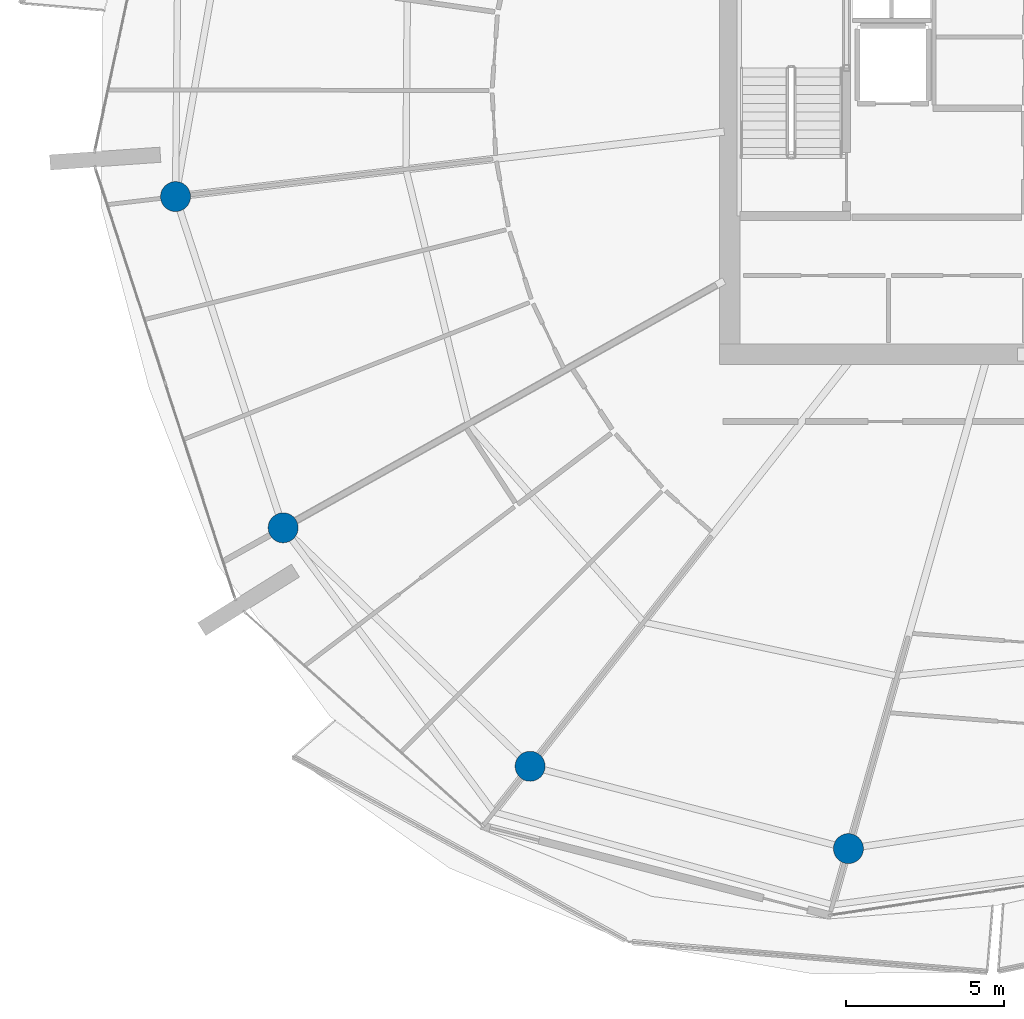
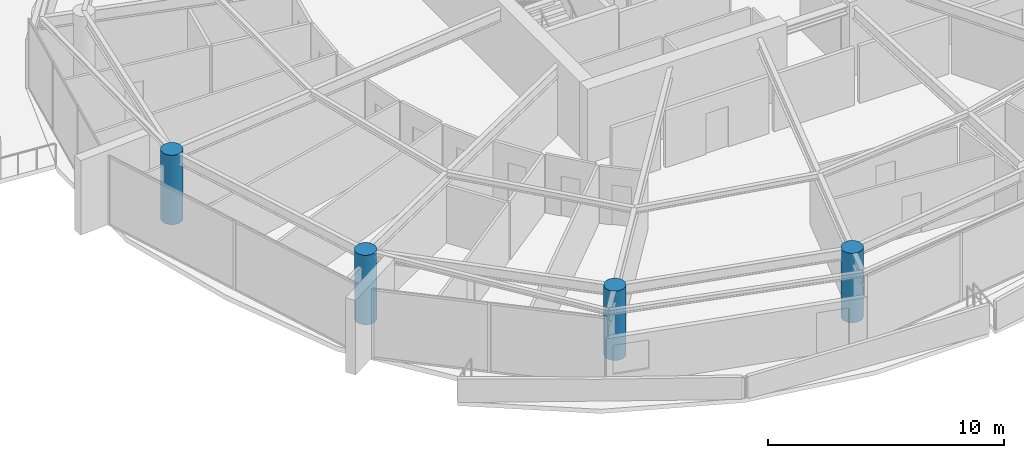
# One storey, part 1 of 31: 4 columns.
"""IFC4 building model written with IfcOpenShell, lengths in metres."""

import ifcopenshell
import ifcopenshell.guid

model = None  # the IFC model being written
_history = None  # IfcOwnerHistory: only IFC2X3 demands one
_inside = {}  # id of a spatial element -> (the spatial element, [elements in it])
_under = {}  # id of a project, library or spatial element -> (it, [spatial elements below it])
_declared = {}  # id of a project -> (the project, [libraries it declares])
_typed = {}  # id of a type object -> (the type object, [elements of that type])
_made_of = {}  # id of a material, layer set ... -> (it, [elements and type objects made of it])


def new_model(schema):
    """Start an empty IFC model of exactly this schema.

    Asked for "IFC4X3", IfcOpenShell would pick the latest addendum, in which some entities
    have other attributes; the version numbers below select the first issue.
    IFC2X3 requires an IfcOwnerHistory on every rooted entity: one is made here for all.
    """
    global model, _history
    if schema == "IFC4X3":
        model = ifcopenshell.file(schema_version=(4, 3, 0, 0))
    else:
        model = ifcopenshell.file(schema=schema)
    _inside.clear()
    _under.clear()
    _declared.clear()
    _typed.clear()
    _made_of.clear()
    _history = None
    if model.schema == "IFC2X3":
        org = make("IfcOrganization", Name="unknown")
        user = make(
            "IfcPersonAndOrganization",
            ThePerson=make("IfcPerson", FamilyName="unknown"),
            TheOrganization=org,
        )
        app = make(
            "IfcApplication",
            ApplicationDeveloper=org,
            Version="unknown",
            ApplicationFullName="unknown",
            ApplicationIdentifier="unknown",
        )
        _history = make(
            "IfcOwnerHistory",
            OwningUser=user,
            OwningApplication=app,
            ChangeAction="ADDED",
            CreationDate=0,
        )
    return model


def make(cls, **values):
    """One entity of the class cls with the attributes given. An attribute that is None is left unset."""
    return model.create_entity(
        cls, **{name: value for name, value in values.items() if value is not None}
    )


def rooted(cls, **values):
    """An entity with a GlobalId (a new one), such as an element, a storey or a relation."""
    return make(cls, GlobalId=ifcopenshell.guid.new(), OwnerHistory=_history, **values)


def si_unit(unit_type, name, prefix=None):
    """IfcSIUnit, for example si_unit("LENGTHUNIT", "METRE", prefix="MILLI")."""
    return make("IfcSIUnit", UnitType=unit_type, Prefix=prefix, Name=name)


def assignment(units):
    """IfcUnitAssignment: the units of a project."""
    return None if units is None else make("IfcUnitAssignment", Units=units)


def point(xyz):
    """IfcCartesianPoint."""
    return None if xyz is None else make("IfcCartesianPoint", Coordinates=xyz)


def direction(xyz):
    """IfcDirection."""
    return None if xyz is None else make("IfcDirection", DirectionRatios=xyz)


def frame(location, z_axis=None, x_axis=None):
    """IfcAxis2Placement3D, a coordinate frame: its origin and axes. An axis left out is left unset."""
    return make(
        "IfcAxis2Placement3D",
        Location=point(location),
        Axis=direction(z_axis),
        RefDirection=direction(x_axis),
    )


def frame_2d(location, x_axis=None):
    """IfcAxis2Placement2D, a coordinate frame in the plane: its origin and x axis."""
    return make(
        "IfcAxis2Placement2D", Location=point(location), RefDirection=direction(x_axis)
    )


def origin():
    """The frame at (0, 0, 0) with its axes left unset."""
    return frame((0.0, 0.0, 0.0))


def origin_2d():
    """The frame at (0, 0) in the plane with its x axis left unset."""
    return frame_2d((0.0, 0.0))


def place(relative_to, where):
    """IfcLocalPlacement: puts the frame where relative to a parent placement (None: the world)."""
    return make(
        "IfcLocalPlacement", PlacementRelTo=relative_to, RelativePlacement=where
    )


def context(
    kind, dimensions, precision=None, world=None, true_north=None, identifier=None
):
    """IfcGeometricRepresentationContext, for example the 3D "Model" context."""
    return make(
        "IfcGeometricRepresentationContext",
        ContextIdentifier=identifier,
        ContextType=kind,
        CoordinateSpaceDimension=dimensions,
        Precision=precision,
        WorldCoordinateSystem=world,
        TrueNorth=true_north,
    )


def subcontext(parent, identifier, kind, view, scale=None):
    """IfcGeometricRepresentationSubContext, for example "Body" below "Model"."""
    return make(
        "IfcGeometricRepresentationSubContext",
        ContextIdentifier=identifier,
        ContextType=kind,
        ParentContext=parent,
        TargetScale=scale,
        TargetView=view,
    )


def project(units=None, contexts=None):
    """IfcProject with its units and contexts."""
    return rooted(
        "IfcProject",
        Name="project",
        RepresentationContexts=contexts,
        UnitsInContext=assignment(units),
    )


def spatial(cls, under=None, at=None, **own):
    """A site, building, storey or space (cls), placed at a placement, below another one or the project."""
    s = rooted(cls, ObjectPlacement=at, **own)
    if under is not None:
        _under.setdefault(under.id(), (under, []))[1].append(s)
    return s


def profile(cls, at=None, kind="AREA", **sizes):
    """A parametric profile (cls). Its sizes go by their IFC names, for example OverallWidth=200.0."""
    return make(cls, ProfileType=kind, Position=at, **sizes)


def circle(**sizes):
    """IfcCircleProfileDef."""
    return profile("IfcCircleProfileDef", **sizes)


def extrude(swept, where, along, depth):
    """IfcExtrudedAreaSolid: the profile swept, set in the frame where, extruded along a direction by depth."""
    return make(
        "IfcExtrudedAreaSolid",
        SweptArea=swept,
        Position=where,
        ExtrudedDirection=direction(along),
        Depth=depth,
    )


def shape(context_of_items, identifier, shape_type, items):
    """IfcShapeRepresentation: the items that make up one representation, for example the "Body"."""
    return make(
        "IfcShapeRepresentation",
        ContextOfItems=context_of_items,
        RepresentationIdentifier=identifier,
        RepresentationType=shape_type,
        Items=items,
    )


def material(Name=None, Category=None):
    """IfcMaterial."""
    return make("IfcMaterial", Name=Name, Category=Category)


def material_profile(
    of_material, cross_section, Name=None, Category=None, Priority=None
):
    """IfcMaterialProfile: a cross section and its material."""
    return make(
        "IfcMaterialProfile",
        Name=Name,
        Material=of_material,
        Profile=cross_section,
        Priority=Priority,
        Category=Category,
    )


def profile_set(profiles, Name=None, composite=None):
    """IfcMaterialProfileSet."""
    return make(
        "IfcMaterialProfileSet",
        Name=Name,
        MaterialProfiles=profiles,
        CompositeProfile=composite,
    )


def made_of(thing, what):
    """Note that an element or type object is made of a material, layer set ...; save() writes the relation."""
    if what is not None:
        _made_of.setdefault(what.id(), (what, []))[1].append(thing)
    return thing


def type_object(cls, material=None, **own):
    """A type object (cls), such as IfcWallType, which elements share."""
    return made_of(rooted(cls, **own), material)


def element(
    cls,
    number,
    at=None,
    inside=None,
    cuts=None,
    type_object=None,
    material=None,
    context=None,
    identifier="Body",
    shape_type=None,
    held_by="IfcProductDefinitionShape",
    body=None,
    shapes=None,
    **own,
):
    """One element of the class cls, such as IfcWall. Its Tag is "e" and its number.

    at: its placement. inside: the storey or other place that contains it. cuts: it is an
    opening in that element (IfcRelVoidsElement). A single representation is given by context,
    identifier, shape_type and body (its items); several are given by shapes. held_by: the class
    of the entity that holds the representations. save() writes the other relations.
    """
    e = rooted(cls, Tag="e%d" % number, ObjectPlacement=at, **own)
    if body is not None:
        shapes = [shape(context, identifier, shape_type, body)]
    if shapes is not None:
        e.Representation = make(held_by, Representations=shapes)
    if inside is not None:
        _inside.setdefault(inside.id(), (inside, []))[1].append(e)
    if cuts is not None:
        rooted(
            "IfcRelVoidsElement", RelatingBuildingElement=cuts, RelatedOpeningElement=e
        )
    if type_object is not None:
        _typed.setdefault(type_object.id(), (type_object, []))[1].append(e)
    return made_of(e, material)


def aggregate(whole, parts):
    """IfcRelAggregates: a whole, such as a stair, and the parts it consists of."""
    return rooted("IfcRelAggregates", RelatingObject=whole, RelatedObjects=parts)


def save(model, path):
    """Write the relations noted so far, then the file.

    IfcRelAggregates (storeys below a building ...), IfcRelContainedInSpatialStructure (elements
    in a storey), IfcRelDefinesByType, IfcRelAssociatesMaterial and IfcRelDeclares: one each for
    every whole, place, type object, material and project.
    """
    for whole, parts in _under.values():
        aggregate(whole, parts)
    for where, things in _inside.values():
        rooted(
            "IfcRelContainedInSpatialStructure",
            RelatedElements=things,
            RelatingStructure=where,
        )
    for kind, things in _typed.values():
        rooted("IfcRelDefinesByType", RelatedObjects=things, RelatingType=kind)
    for what, things in _made_of.values():
        rooted("IfcRelAssociatesMaterial", RelatedObjects=things, RelatingMaterial=what)
    for by, libraries in _declared.values():
        rooted("IfcRelDeclares", RelatingContext=by, RelatedDefinitions=libraries)
    model.write(path)


model = new_model("IFC4")

# Units and contexts
model_context = context("Model", 3, precision=1e-05, world=origin(), true_north=direction((0.0, 1.0)))
body_context = subcontext(model_context, "Body", "Model", "MODEL_VIEW")
ifc_project = project(units=[si_unit("LENGTHUNIT", "METRE"), si_unit("AREAUNIT", "SQUARE_METRE"), si_unit("VOLUMEUNIT", "CUBIC_METRE"), si_unit("PLANEANGLEUNIT", "RADIAN"), si_unit("MASSUNIT", "GRAM", prefix="KILO")], contexts=[model_context])

# Site, building, storey
site_placement = place(None, origin())
site = spatial("IfcSite", under=ifc_project, at=site_placement, CompositionType="ELEMENT")
building_placement = place(site_placement, origin())
building = spatial("IfcBuilding", under=site, at=building_placement, Name="Kazma Halo Residences", CompositionType="ELEMENT")
storey_placement = place(building_placement, frame((0.0, 0.0, 259.800048828125)))
storey = spatial("IfcBuildingStorey", under=building, at=storey_placement, Name="L65", CompositionType="ELEMENT", Elevation=259.800048828125)

# Columns
ifc_material = material(Name="Concrete C60/75", Category="concrete")
ifc_material_profile = material_profile(ifc_material, circle(Radius=0.47509765625, at=origin_2d()), Name="CIRC950")
ifc_profile_set = profile_set([ifc_material_profile], Name="Concrete C60/75")
column_type = type_object("IfcColumnType", Name="COL-PERIM-950", PredefinedType="COLUMN", material=ifc_profile_set)
for number, where, z_axis, x_axis, name in (
    (1, (19.92041015625, 38.676513671875, 0.0), (0.0, 0.0, 1.0), (1.0, 0.0, 0.0), "L65 perimeter ring column P08"),
    (2, (23.32958984375, 28.18408203125, 0.0), (0.0, 0.0, 1.0), (1.0, 0.0, 0.0), "L65 perimeter ring column P09"),
    (3, (31.15283203125, 20.62939453125, 0.0), (0.0, 0.0, 1.0), (1.0, 0.0, 0.0), "L65 perimeter ring column P10"),
    (4, (41.237060546875, 18.0205078125, 0.0), (0.0, 0.0, 1.0), (1.0, 0.0, 0.0), "L65 perimeter ring column P11"),
):
    element("IfcColumn", number, at=place(storey_placement, frame(where, z_axis=z_axis, x_axis=x_axis)), inside=storey, type_object=column_type, Name=name, PredefinedType="COLUMN", context=body_context, shape_type="SweptSolid", body=[
        extrude(circle(Radius=0.47509765625, at=origin_2d()), origin(), (0.0, 0.0, 1.0), 3.58984375),
    ])

save(model, "model.ifc")
